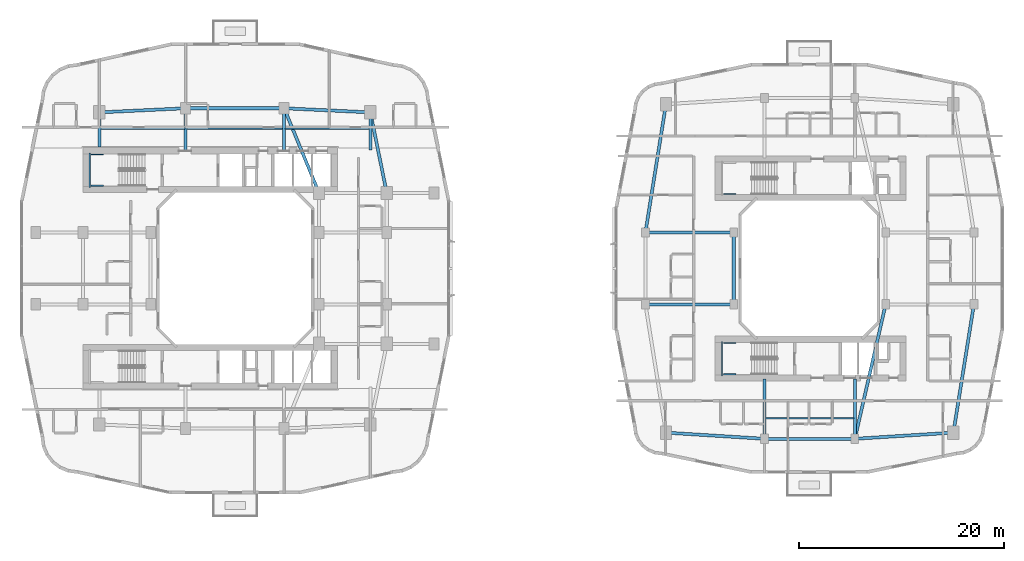
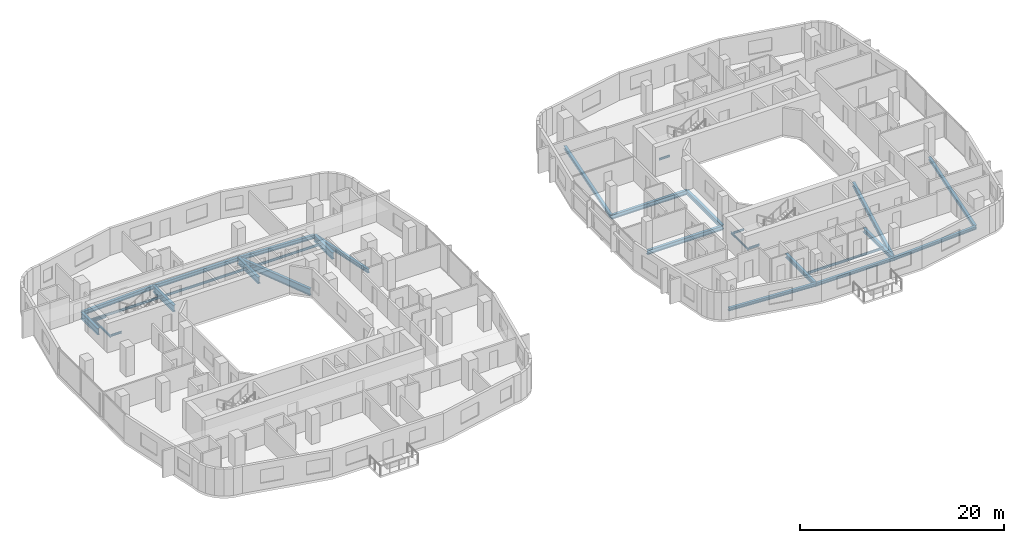
# One storey, part 5 of 22: 31 beams.
"""IFC4 building model written with IfcOpenShell, lengths in metres."""

from ifc_helpers import new_model, si_unit, derived_unit, direction, frame, origin, origin_2d, place, context, subcontext, project, spatial, i_section, extrude, material, material_profile, profile_set, type_object, element, save


model = new_model("IFC4")

# Units and contexts
model_context = context("Model", 3, precision=1e-05, world=origin(), true_north=direction((0.0, 1.0)))
body_context = subcontext(model_context, "Body", "Model", "MODEL_VIEW")
ifc_project = project(units=[si_unit("LENGTHUNIT", "METRE"), si_unit("AREAUNIT", "SQUARE_METRE"), si_unit("VOLUMEUNIT", "CUBIC_METRE"), si_unit("PLANEANGLEUNIT", "RADIAN"), si_unit("MASSUNIT", "GRAM", prefix="KILO"), derived_unit("THERMALTRANSMITTANCEUNIT", [(si_unit("POWERUNIT", "WATT"), 1), (si_unit("LENGTHUNIT", "METRE"), -2), (si_unit("THERMODYNAMICTEMPERATUREUNIT", "KELVIN"), -1)])], contexts=[model_context])

# Site, building, storey
site_placement = place(None, origin())
site = spatial("IfcSite", under=ifc_project, at=site_placement, CompositionType="ELEMENT")
building_placement = place(site_placement, origin())
building = spatial("IfcBuilding", under=site, at=building_placement, Name="Kivonza Crest Hotel", CompositionType="ELEMENT")
storey_placement = place(building_placement, frame((0.0, 0.0, 48.5)))
storey = spatial("IfcBuildingStorey", under=building, at=storey_placement, Name="L12", CompositionType="ELEMENT", Elevation=48.5)

# Beams
ifc_material = material(Name="Steel S355", Category="steel")
ifc_material_profile_1 = material_profile(ifc_material, i_section(OverallWidth=0.300048828125, OverallDepth=0.360107421875, WebThickness=0.012451171875, FlangeThickness=0.0224609375, FilletRadius=0.027099609375, at=origin_2d()), Name="HEB 360")
ifc_profile_set_1 = profile_set([ifc_material_profile_1], Name="Steel S355")
beam_type_1 = type_object("IfcBeamType", Name="BM-HEB360", PredefinedType="SPANDREL", material=ifc_profile_set_1)
beam_1_placement = place(storey_placement, frame((72.60009765625, 8.39990234375, -0.429931640625), z_axis=(1.0, 0.0, 0.0), x_axis=(0.0, 1.0, 0.0)))
element("IfcBeam", 1, at=beam_1_placement, inside=storey, type_object=beam_type_1, Name="Companion Tower T2 L12 perimeter spandrel S1-S2", PredefinedType="SPANDREL", context=body_context, shape_type="SweptSolid", body=[
    extrude(i_section(OverallWidth=0.300048828125, OverallDepth=0.360107421875, WebThickness=0.012451171875, FlangeThickness=0.0224609375, FilletRadius=0.027099609375, at=origin_2d()), origin(), (0.0, 0.0, 1.0), 8.7998046875),
])
beam_2_placement = place(storey_placement, frame((81.39990234375, 8.39990234375, -0.429931640625), z_axis=(0.998051985873, 0.062387767186, 0.0), x_axis=(-0.062387767186, 0.998051985873, 0.0)))
element("IfcBeam", 2, at=beam_2_placement, inside=storey, type_object=beam_type_1, Name="Companion Tower T2 L12 perimeter spandrel S2-SE", PredefinedType="SPANDREL", context=body_context, shape_type="SweptSolid", body=[
    extrude(i_section(OverallWidth=0.300048828125, OverallDepth=0.360107421875, WebThickness=0.012451171875, FlangeThickness=0.0224609375, FilletRadius=0.027099609375, at=origin_2d()), origin(), (0.0, 0.0, 1.0), 9.618896484375),
])
for number, where, z_axis, x_axis, name in (
    (3, (91.0, 9.0, -0.429931640625), (0.157990501107, 0.987440631917, 0.0), (-0.987440631917, 0.157990501107, 0.0), "Companion Tower T2 L12 perimeter spandrel SE-E1"),
    (4, (63.0, 41.0, -0.429931640625), (-0.157990501107, -0.987440631917, 0.0), (0.987440631917, -0.157990501107, 0.0), "Companion Tower T2 L12 perimeter spandrel NW-W2"),
):
    element("IfcBeam", number, at=place(storey_placement, frame(where, z_axis=z_axis, x_axis=x_axis)), inside=storey, type_object=beam_type_1, Name=name, PredefinedType="SPANDREL", context=body_context, shape_type="SweptSolid", body=[
        extrude(i_section(OverallWidth=0.300048828125, OverallDepth=0.360107421875, WebThickness=0.012451171875, FlangeThickness=0.0224609375, FilletRadius=0.027099609375, at=origin_2d()), origin(), (0.0, 0.0, 1.0), 12.658935546875),
    ])
beam_3_placement = place(storey_placement, frame((63.0, 9.0, -0.429931640625), z_axis=(0.998051985873, -0.062387767186, 0.0), x_axis=(0.062387767186, 0.998051985873, 0.0)))
element("IfcBeam", 5, at=beam_3_placement, inside=storey, type_object=beam_type_1, Name="Companion Tower T2 L12 perimeter spandrel SW-S1", PredefinedType="SPANDREL", context=body_context, shape_type="SweptSolid", body=[
    extrude(i_section(OverallWidth=0.300048828125, OverallDepth=0.360107421875, WebThickness=0.012451171875, FlangeThickness=0.0224609375, FilletRadius=0.027099609375, at=origin_2d()), origin(), (0.0, 0.0, 1.0), 9.618896484375),
])
ifc_material_profile_2 = material_profile(ifc_material, i_section(OverallWidth=0.300048828125, OverallDepth=0.449951171875, WebThickness=0.013916015625, FlangeThickness=0.02587890625, FilletRadius=0.027099609375, at=origin_2d()), Name="HEB 450")
ifc_profile_set_2 = profile_set([ifc_material_profile_2], Name="Steel S355")
beam_type_2 = type_object("IfcBeamType", Name="BM-HEB450", PredefinedType="SPANDREL", material=ifc_profile_set_2)
beam_4_placement = place(storey_placement, frame((35.800048828125, 32.35009765625, -0.5048828125), z_axis=(-0.199730733965, 0.979850822273, 0.0), x_axis=(-0.979850822273, -0.199730733965, 0.0)))
element("IfcBeam", 6, at=beam_4_placement, inside=storey, type_object=beam_type_2, Name="Tower T1 L12 perimeter spandrel PNE-NE", PredefinedType="SPANDREL", context=body_context, shape_type="SweptSolid", body=[
    extrude(i_section(OverallWidth=0.300048828125, OverallDepth=0.449951171875, WebThickness=0.013916015625, FlangeThickness=0.02587890625, FilletRadius=0.027099609375, at=origin_2d()), origin(), (0.0, 0.0, 1.0), 8.01123046875),
])
beam_5_placement = place(storey_placement, frame((34.199951171875, 40.199951171875, -0.5048828125), z_axis=(-0.998867283688, 0.047583080799, 0.0), x_axis=(-0.047583080799, -0.998867283688, 0.0)))
element("IfcBeam", 7, at=beam_5_placement, inside=storey, type_object=beam_type_2, Name="Tower T1 L12 perimeter spandrel NE-N2", PredefinedType="SPANDREL", context=body_context, shape_type="SweptSolid", body=[
    extrude(i_section(OverallWidth=0.300048828125, OverallDepth=0.449951171875, WebThickness=0.013916015625, FlangeThickness=0.02587890625, FilletRadius=0.027099609375, at=origin_2d()), origin(), (0.0, 0.0, 1.0), 8.409423828125),
])
beam_6_placement = place(storey_placement, frame((25.800048828125, 40.60009765625, -0.5048828125), z_axis=(-1.0, 0.0, 0.0), x_axis=(0.0, -1.0, 0.0)))
element("IfcBeam", 8, at=beam_6_placement, inside=storey, type_object=beam_type_2, Name="Tower T1 L12 perimeter spandrel N2-N1", PredefinedType="SPANDREL", context=body_context, shape_type="SweptSolid", body=[
    extrude(i_section(OverallWidth=0.300048828125, OverallDepth=0.449951171875, WebThickness=0.013916015625, FlangeThickness=0.02587890625, FilletRadius=0.027099609375, at=origin_2d()), origin(), (0.0, 0.0, 1.0), 9.60009765625),
])
beam_7_placement = place(storey_placement, frame((16.199951171875, 40.60009765625, -0.5048828125), z_axis=(-0.998867283688, -0.047583080799, 0.0), x_axis=(0.047583080799, -0.998867283688, 0.0)))
element("IfcBeam", 9, at=beam_7_placement, inside=storey, type_object=beam_type_2, Name="Tower T1 L12 perimeter spandrel N1-NW", PredefinedType="SPANDREL", context=body_context, shape_type="SweptSolid", body=[
    extrude(i_section(OverallWidth=0.300048828125, OverallDepth=0.449951171875, WebThickness=0.013916015625, FlangeThickness=0.02587890625, FilletRadius=0.027099609375, at=origin_2d()), origin(), (0.0, 0.0, 1.0), 8.409423828125),
])
ifc_material_profile_3 = material_profile(ifc_material, i_section(OverallWidth=0.300048828125, OverallDepth=0.5, WebThickness=0.014404296875, FlangeThickness=0.028076171875, FilletRadius=0.027099609375, at=origin_2d()), Name="HEB 500")
ifc_profile_set_3 = profile_set([ifc_material_profile_3], Name="Steel S355")
beam_type_3 = type_object("IfcBeamType", Name="BM-HEB500", PredefinedType="BEAM", material=ifc_profile_set_3)
for number, where, z_axis, x_axis, name in (
    (10, (61.0, 21.5, -0.5), (1.0, 0.0, 0.0), (0.0, 1.0, 0.0), "Companion Tower T2 L12 girder W1-WL1"),
    (11, (61.0, 28.5, -0.5), (1.0, 0.0, 0.0), (0.0, 1.0, 0.0), "Companion Tower T2 L12 girder W2-WL2"),
):
    element("IfcBeam", number, at=place(storey_placement, frame(where, z_axis=z_axis, x_axis=x_axis)), inside=storey, type_object=beam_type_3, Name=name, PredefinedType="BEAM", context=body_context, shape_type="SweptSolid", body=[
        extrude(i_section(OverallWidth=0.300048828125, OverallDepth=0.5, WebThickness=0.014404296875, FlangeThickness=0.028076171875, FilletRadius=0.027099609375, at=origin_2d()), origin(), (0.0, 0.0, 1.0), 8.60009765625),
    ])
beam_8_placement = place(storey_placement, frame((69.60009765625, 21.5, -0.5), z_axis=(0.0, 1.0, 0.0), x_axis=(-1.0, 0.0, 0.0)))
element("IfcBeam", 12, at=beam_8_placement, inside=storey, type_object=beam_type_3, Name="Companion Tower T2 L12 girder WL1-WL2", PredefinedType="BEAM", context=body_context, shape_type="SweptSolid", body=[
    extrude(i_section(OverallWidth=0.300048828125, OverallDepth=0.5, WebThickness=0.014404296875, FlangeThickness=0.028076171875, FilletRadius=0.027099609375, at=origin_2d()), origin(), (0.0, 0.0, 1.0), 7.0),
])
beam_9_placement = place(storey_placement, frame((84.39990234375, 21.5, -0.5), z_axis=(-0.223227287589, -0.974766422317, 0.0), x_axis=(0.974766422317, -0.223227287589, 0.0)))
element("IfcBeam", 13, at=beam_9_placement, inside=storey, type_object=beam_type_3, Name="Companion Tower T2 L12 girder WR1-S2", PredefinedType="BEAM", context=body_context, shape_type="SweptSolid", body=[
    extrude(i_section(OverallWidth=0.300048828125, OverallDepth=0.5, WebThickness=0.014404296875, FlangeThickness=0.028076171875, FilletRadius=0.027099609375, at=origin_2d()), origin(), (0.0, 0.0, 1.0), 13.439208984375),
])
for number, where, z_axis, x_axis, name in (
    (14, (72.60009765625, 8.39990234375, -0.5), (0.0, 1.0, 0.0), (-1.0, 0.0, 0.0), "Companion T2 L12 radial core girder RS1"),
    (15, (81.39990234375, 8.39990234375, -0.5), (0.0, 1.0, 0.0), (-1.0, 0.0, 0.0), "Companion T2 L12 radial core girder RS2"),
):
    element("IfcBeam", number, at=place(storey_placement, frame(where, z_axis=z_axis, x_axis=x_axis)), inside=storey, type_object=beam_type_3, Name=name, PredefinedType="BEAM", context=body_context, shape_type="SweptSolid", body=[
        extrude(i_section(OverallWidth=0.300048828125, OverallDepth=0.5, WebThickness=0.014404296875, FlangeThickness=0.028076171875, FilletRadius=0.027099609375, at=origin_2d()), origin(), (0.0, 0.0, 1.0), 5.85009765625),
    ])
ifc_material_profile_4 = material_profile(ifc_material, i_section(OverallWidth=0.300048828125, OverallDepth=0.800048828125, WebThickness=0.017578125, FlangeThickness=0.032958984375, FilletRadius=0.030029296875, at=origin_2d()), Name="HEB 800")
ifc_profile_set_4 = profile_set([ifc_material_profile_4], Name="Steel S355")
beam_type_4 = type_object("IfcBeamType", Name="BM-HEB800", PredefinedType="BEAM", material=ifc_profile_set_4)
beam_10_placement = place(storey_placement, frame((25.800048828125, 40.60009765625, -0.679931640625), z_axis=(0.381022260404, -0.924565864109, 0.0), x_axis=(0.924565864109, 0.381022260404, 0.0)))
element("IfcBeam", 16, at=beam_10_placement, inside=storey, type_object=beam_type_4, Name="Tower T1 L12 primary girder N1-TNE", PredefinedType="BEAM", context=body_context, shape_type="SweptSolid", body=[
    extrude(i_section(OverallWidth=0.300048828125, OverallDepth=0.800048828125, WebThickness=0.017578125, FlangeThickness=0.032958984375, FilletRadius=0.030029296875, at=origin_2d()), origin(), (0.0, 0.0, 1.0), 8.923095703125),
])
beam_11_placement = place(storey_placement, frame((7.800048828125, 40.199951171875, -0.679931640625), z_axis=(0.0, -1.0, 0.0), x_axis=(1.0, 0.0, 0.0)))
element("IfcBeam", 17, at=beam_11_placement, inside=storey, type_object=beam_type_4, Name="Tower T1 L12 radial core girder RNW", PredefinedType="BEAM", context=body_context, shape_type="SweptSolid", body=[
    extrude(i_section(OverallWidth=0.300048828125, OverallDepth=0.800048828125, WebThickness=0.017578125, FlangeThickness=0.032958984375, FilletRadius=0.030029296875, at=origin_2d()), origin(), (0.0, 0.0, 1.0), 3.349853515625),
])
for number, where, z_axis, x_axis, name in (
    (18, (16.199951171875, 40.60009765625, -0.679931640625), (0.0, -1.0, 0.0), (1.0, 0.0, 0.0), "Tower T1 L12 radial core girder RN1"),
    (19, (25.800048828125, 40.60009765625, -0.679931640625), (0.0, -1.0, 0.0), (1.0, 0.0, 0.0), "Tower T1 L12 radial core girder RN2"),
):
    element("IfcBeam", number, at=place(storey_placement, frame(where, z_axis=z_axis, x_axis=x_axis)), inside=storey, type_object=beam_type_4, Name=name, PredefinedType="BEAM", context=body_context, shape_type="SweptSolid", body=[
        extrude(i_section(OverallWidth=0.300048828125, OverallDepth=0.800048828125, WebThickness=0.017578125, FlangeThickness=0.032958984375, FilletRadius=0.030029296875, at=origin_2d()), origin(), (0.0, 0.0, 1.0), 4.050048828125),
    ])
beam_12_placement = place(storey_placement, frame((34.199951171875, 40.199951171875, -0.679931640625), z_axis=(0.0, -1.0, 0.0), x_axis=(1.0, 0.0, 0.0)))
element("IfcBeam", 20, at=beam_12_placement, inside=storey, type_object=beam_type_4, Name="Tower T1 L12 radial core girder RNE", PredefinedType="BEAM", context=body_context, shape_type="SweptSolid", body=[
    extrude(i_section(OverallWidth=0.300048828125, OverallDepth=0.800048828125, WebThickness=0.017578125, FlangeThickness=0.032958984375, FilletRadius=0.030029296875, at=origin_2d()), origin(), (0.0, 0.0, 1.0), 3.64990234375),
])
ifc_material_profile_5 = material_profile(ifc_material, i_section(OverallWidth=0.135009765625, OverallDepth=0.27001953125, WebThickness=0.006591796875, FlangeThickness=0.01025390625, FilletRadius=0.014892578125, at=origin_2d()), Name="IPE 270")
ifc_profile_set_5 = profile_set([ifc_material_profile_5], Name="Steel S355")
beam_type_5 = type_object("IfcBeamType", Name="BM-IPE270", PredefinedType="JOIST", material=ifc_profile_set_5)
beam_13_placement = place(storey_placement, frame((7.8798828125, 38.60009765625, -0.4150390625), z_axis=(1.0, 0.0, 0.0), x_axis=(0.0, 1.0, 0.0)))
element("IfcBeam", 21, at=beam_13_placement, inside=storey, type_object=beam_type_5, Name="Tower T1 L12 North-West floor joist", PredefinedType="JOIST", context=body_context, shape_type="SweptSolid", body=[
    extrude(i_section(OverallWidth=0.135009765625, OverallDepth=0.27001953125, WebThickness=0.006591796875, FlangeThickness=0.01025390625, FilletRadius=0.014892578125, at=origin_2d()), origin(), (0.0, 0.0, 1.0), 8.240234375),
])
beam_14_placement = place(storey_placement, frame((16.280029296875, 38.60009765625, -0.4150390625), z_axis=(1.0, 0.0, 0.0), x_axis=(0.0, 1.0, 0.0)))
element("IfcBeam", 22, at=beam_14_placement, inside=storey, type_object=beam_type_5, Name="Tower T1 L12 North-Mid floor joist", PredefinedType="JOIST", context=body_context, shape_type="SweptSolid", body=[
    extrude(i_section(OverallWidth=0.135009765625, OverallDepth=0.27001953125, WebThickness=0.006591796875, FlangeThickness=0.01025390625, FilletRadius=0.014892578125, at=origin_2d()), origin(), (0.0, 0.0, 1.0), 9.43994140625),
])
beam_15_placement = place(storey_placement, frame((25.8798828125, 38.60009765625, -0.4150390625), z_axis=(1.0, 0.0, 0.0), x_axis=(0.0, 1.0, 0.0)))
element("IfcBeam", 23, at=beam_15_placement, inside=storey, type_object=beam_type_5, Name="Tower T1 L12 North-East floor joist", PredefinedType="JOIST", context=body_context, shape_type="SweptSolid", body=[
    extrude(i_section(OverallWidth=0.135009765625, OverallDepth=0.27001953125, WebThickness=0.006591796875, FlangeThickness=0.01025390625, FilletRadius=0.014892578125, at=origin_2d()), origin(), (0.0, 0.0, 1.0), 8.240234375),
])
beam_16_placement = place(storey_placement, frame((72.679931640625, 10.39990234375, -0.385009765625), z_axis=(1.0, 0.0, 0.0), x_axis=(0.0, 1.0, 0.0)))
element("IfcBeam", 24, at=beam_16_placement, inside=storey, type_object=beam_type_5, Name="Companion Tower T2 L12 South floor joist", PredefinedType="JOIST", context=body_context, shape_type="SweptSolid", body=[
    extrude(i_section(OverallWidth=0.135009765625, OverallDepth=0.27001953125, WebThickness=0.006591796875, FlangeThickness=0.01025390625, FilletRadius=0.014892578125, at=origin_2d()), origin(), (0.0, 0.0, 1.0), 8.64013671875),
])
ifc_material_profile_6 = material_profile(ifc_material, i_section(OverallWidth=0.1201171875, OverallDepth=0.239990234375, WebThickness=0.006103515625, FlangeThickness=0.009765625, FilletRadius=0.014892578125, at=origin_2d()), Name="IPE 240")
ifc_profile_set_6 = profile_set([ifc_material_profile_6], Name="Steel S355")
beam_type_6 = type_object("IfcBeamType", Name="BM-LLDG-240", PredefinedType="BEAM", material=ifc_profile_set_6)
beam_17_placement = place(storey_placement, frame((6.860107421875, 32.89990234375, 1.429931640625), z_axis=(0.0, 1.0, 0.0), x_axis=(-1.0, 0.0, 0.0)))
element("IfcBeam", 25, at=beam_17_placement, inside=storey, type_object=beam_type_6, Name="Stair ST-T1-N L12 West landing corbel", PredefinedType="BEAM", context=body_context, shape_type="SweptSolid", body=[
    extrude(i_section(OverallWidth=0.1201171875, OverallDepth=0.239990234375, WebThickness=0.006103515625, FlangeThickness=0.009765625, FilletRadius=0.014892578125, at=origin_2d()), origin(), (0.0, 0.0, 1.0), 3.360107421875),
])
for number, where, z_axis, x_axis, name in (
    (26, (6.989990234375, 33.06005859375, 1.429931640625), (1.0, 0.0, 0.0), (0.0, 1.0, 0.0), "Stair ST-T1-N L12 South landing corbel"),
    (27, (6.989990234375, 36.10009765625, 1.429931640625), (1.0, 0.0, 0.0), (0.0, 1.0, 0.0), "Stair ST-T1-N L12 North landing corbel"),
    (28, (68.590087890625, 32.260009765625, 1.429931640625), (1.0, 0.0, 0.0), (0.0, 1.0, 0.0), "Stair ST-T2-N L12 South landing corbel"),
):
    element("IfcBeam", number, at=place(storey_placement, frame(where, z_axis=z_axis, x_axis=x_axis)), inside=storey, type_object=beam_type_6, Name=name, PredefinedType="BEAM", context=body_context, shape_type="SweptSolid", body=[
        extrude(i_section(OverallWidth=0.1201171875, OverallDepth=0.239990234375, WebThickness=0.006103515625, FlangeThickness=0.009765625, FilletRadius=0.014892578125, at=origin_2d()), origin(), (0.0, 0.0, 1.0), 1.2099609375),
    ])
beam_18_placement = place(storey_placement, frame((68.4599609375, 14.5400390625, 1.429931640625), z_axis=(0.0, 1.0, 0.0), x_axis=(-1.0, 0.0, 0.0)))
element("IfcBeam", 29, at=beam_18_placement, inside=storey, type_object=beam_type_6, Name="Stair ST-T2-S L12 West landing corbel", PredefinedType="BEAM", context=body_context, shape_type="SweptSolid", body=[
    extrude(i_section(OverallWidth=0.1201171875, OverallDepth=0.239990234375, WebThickness=0.006103515625, FlangeThickness=0.009765625, FilletRadius=0.014892578125, at=origin_2d()), origin(), (0.0, 0.0, 1.0), 3.35986328125),
])
for number, where, z_axis, x_axis, name in (
    (30, (68.590087890625, 14.699951171875, 1.429931640625), (1.0, 0.0, 0.0), (0.0, 1.0, 0.0), "Stair ST-T2-S L12 South landing corbel"),
    (31, (68.590087890625, 17.739990234375, 1.429931640625), (1.0, 0.0, 0.0), (0.0, 1.0, 0.0), "Stair ST-T2-S L12 North landing corbel"),
):
    element("IfcBeam", number, at=place(storey_placement, frame(where, z_axis=z_axis, x_axis=x_axis)), inside=storey, type_object=beam_type_6, Name=name, PredefinedType="BEAM", context=body_context, shape_type="SweptSolid", body=[
        extrude(i_section(OverallWidth=0.1201171875, OverallDepth=0.239990234375, WebThickness=0.006103515625, FlangeThickness=0.009765625, FilletRadius=0.014892578125, at=origin_2d()), origin(), (0.0, 0.0, 1.0), 1.2099609375),
    ])

save(model, "model.ifc")
